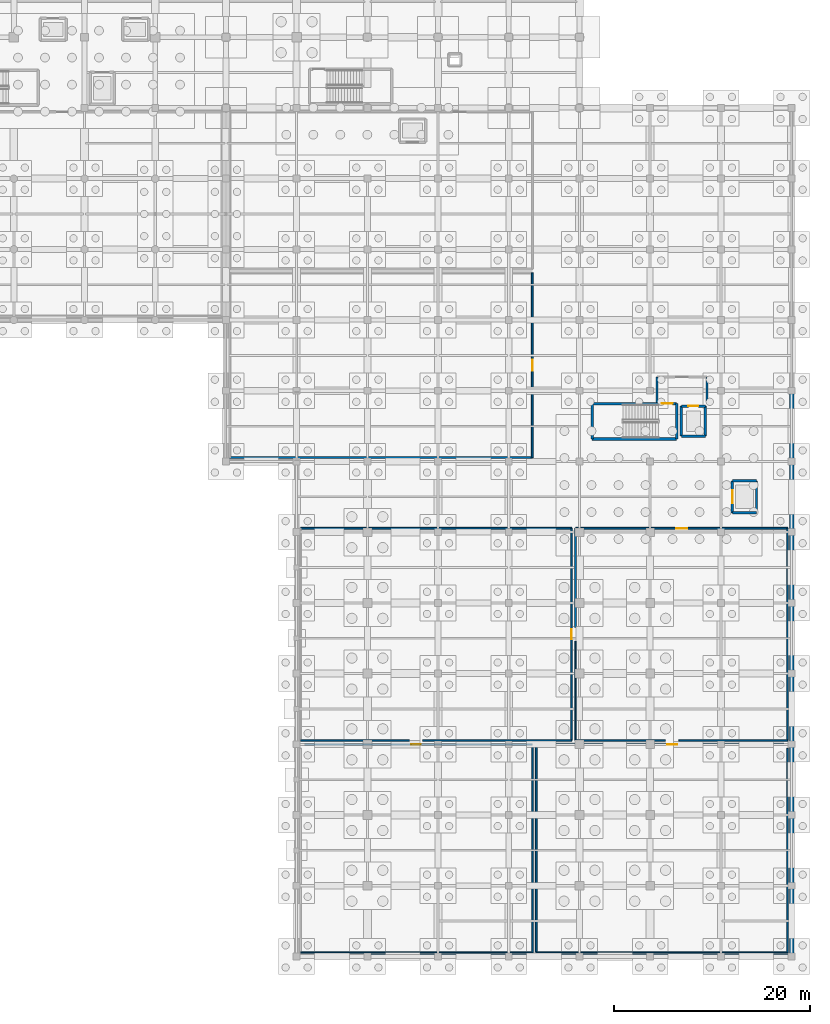
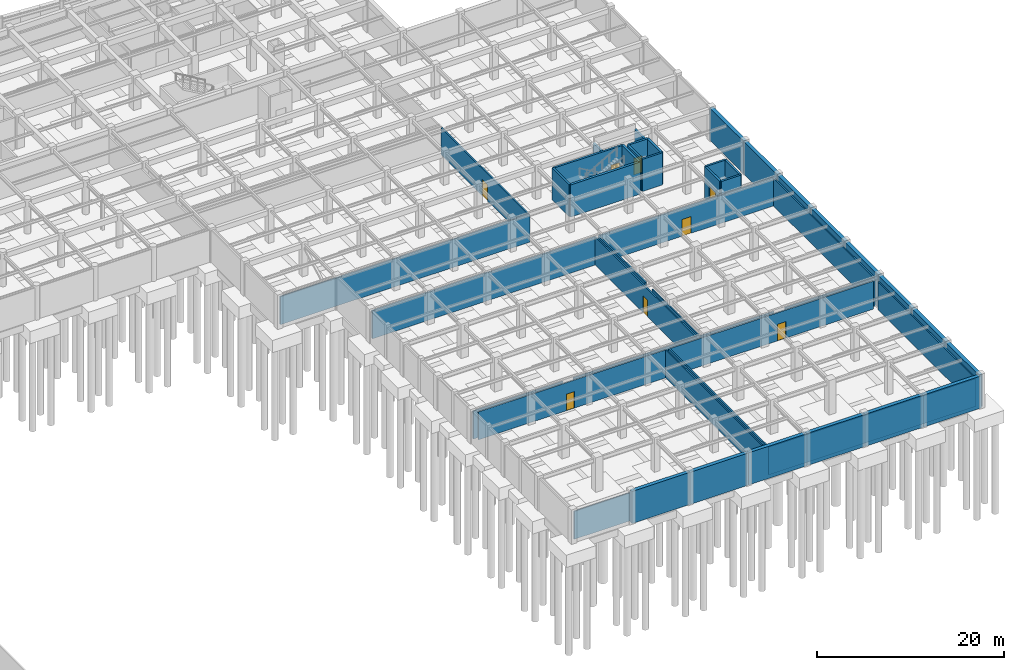
# One storey, part 39 of 48: 47 walls, 8 doors, 8 openings.
"""IFC4 building model written with IfcOpenShell, lengths in metres."""

from ifc_helpers import new_model, si_unit, direction, frame, frame_2d, origin, place, context, subcontext, project, spatial, rectangle, extrude, material, layer, layer_set, type_object, element, fill, save


model = new_model("IFC4")

# Units and contexts
model_context = context("Model", 3, precision=1e-05, world=origin(), true_north=direction((0.0, 1.0)))
body_context = subcontext(model_context, "Body", "Model", "MODEL_VIEW")
ifc_project = project(units=[si_unit("LENGTHUNIT", "METRE"), si_unit("AREAUNIT", "SQUARE_METRE"), si_unit("VOLUMEUNIT", "CUBIC_METRE"), si_unit("PLANEANGLEUNIT", "RADIAN"), si_unit("MASSUNIT", "GRAM", prefix="KILO")], contexts=[model_context])

# Site, building, storey
site_placement = place(None, origin())
site = spatial("IfcSite", under=ifc_project, at=site_placement, CompositionType="ELEMENT")
building_placement = place(site_placement, origin())
building = spatial("IfcBuilding", under=site, at=building_placement, Name="Carrowvane Square Congress Hotel", CompositionType="ELEMENT")
storey_placement = place(building_placement, frame((0.0, 0.0, -4.5)))
storey = spatial("IfcBuildingStorey", under=building, at=storey_placement, Name="B01", CompositionType="ELEMENT", Elevation=-4.5)

# Wall, opening, door
ifc_material_1 = material(Name="Acoustic gypsum board", Category="gypsum")
ifc_layer_1 = layer(ifc_material_1, 0.155029296875)
ifc_layer_set_1 = layer_set([ifc_layer_1], Name="Acoustic gypsum board")
wall_type_1 = type_object("IfcWallType", Name="WL-FIR-155", PredefinedType="PARTITIONING", material=ifc_layer_set_1)
wall_1_placement = place(storey_placement, frame((134.81005859375, 27.0, 0.0), z_axis=(0.0, 0.0, 1.0), x_axis=(1.0, 0.0, 0.0)))
wall_1 = element("IfcWall", 1, at=wall_1_placement, inside=storey, type_object=wall_type_1, Name="B01 ESB MV Substation and LV Switchroom partition", PredefinedType="PARTITIONING", context=body_context, shape_type="SweptSolid", body=[
    extrude(rectangle(XDim=23.18994140625, YDim=0.155029296875, at=frame_2d((11.594970703125, 0.0))), origin(), (0.0, 0.0, 1.0), 3.648193359375),
])
opening_1_placement = place(wall_1_placement, frame((10.860107421875, 0.0, 0.0)))
opening_1 = element("IfcOpeningElement", 2, at=opening_1_placement, cuts=wall_1, Name="Opening ID-19", PredefinedType="OPENING", context=body_context, shape_type="SweptSolid", body=[
    extrude(rectangle(XDim=0.969970703125, YDim=2.159912109375, at=frame_2d((0.48486328125, 1.080078125))), frame((0.0, 0.08740234375, 0.0), z_axis=(0.0, -1.0, 0.0), x_axis=(1.0, 0.0, 0.0)), (0.0, 0.0, 1.0), 0.175048828125),
])
ifc_material_2 = material(Name="European oak timber", Category="wood")
door_type_1 = type_object("IfcDoorType", Name="DR-INT-0970x2160", OperationType="NOTDEFINED", PredefinedType="DOOR", material=ifc_material_2)
door_1_placement = place(opening_1_placement, origin())
door_1 = element("IfcDoor", 3, at=door_1_placement, inside=storey, type_object=door_type_1, Name="B01 ESB MV Substation and LV Switchroom entrance door", OperationType="SINGLE_SWING_LEFT", OverallHeight=2.159912109375, OverallWidth=0.969970703125, PredefinedType="DOOR", context=body_context, shape_type="SweptSolid", body=[
    extrude(rectangle(XDim=0.969970703125, YDim=2.159912109375, at=frame_2d((0.48486328125, 1.080078125))), frame((0.0, 0.02490234375, 0.0), z_axis=(0.0, -1.0, 0.0), x_axis=(1.0, 0.0, 0.0)), (0.0, 0.0, 1.0), 0.050048828125),
])
fill(opening_1, door_1)

# Walls
wall_2_placement = place(storey_placement, frame((184.0, 26.590087890625, 0.0), z_axis=(0.0, 0.0, 1.0), x_axis=(0.0, -1.0, 0.0)))
element("IfcWall", 4, at=wall_2_placement, inside=storey, type_object=wall_type_1, Name="B01 Standby Emergency Generator Hall partition", PredefinedType="PARTITIONING", context=body_context, shape_type="SweptSolid", body=[
    extrude(rectangle(XDim=20.7900390625, YDim=0.155029296875, at=frame_2d((10.39501953125, 0.0))), origin(), (0.0, 0.0, 1.0), 3.648193359375),
])
wall_3_placement = place(storey_placement, frame((162.0, 27.39990234375, 0.0), z_axis=(0.0, 0.0, 1.0), x_axis=(-1.0, 0.0, 0.0)))
element("IfcWall", 5, at=wall_3_placement, inside=storey, type_object=wall_type_1, Name="B01 Sprinkler Tank and Fire Pump Room partition", PredefinedType="PARTITIONING", context=body_context, shape_type="SweptSolid", body=[
    extrude(rectangle(XDim=15.179931640625, YDim=0.155029296875, at=frame_2d((7.58984375, 0.0))), origin(), (0.0, 0.0, 1.0), 3.648193359375),
])
wall_4_placement = place(storey_placement, frame((184.0, 49.0, 0.0), z_axis=(0.0, 0.0, 1.0), x_axis=(0.0, -1.0, 0.0)))
element("IfcWall", 6, at=wall_4_placement, inside=storey, type_object=wall_type_1, Name="B01 Potable Water Storage and Booster Plant partition", PredefinedType="PARTITIONING", context=body_context, shape_type="SweptSolid", body=[
    extrude(rectangle(XDim=21.60009765625, YDim=0.155029296875, at=frame_2d((10.800048828125, 0.0))), origin(), (0.0, 0.0, 1.0), 3.648193359375),
])
ifc_material_3 = material(Name="Acoustic gypsum board", Category="gypsum")
ifc_layer_2 = layer(ifc_material_3, 0.169921875)
ifc_layer_set_2 = layer_set([ifc_layer_2], Name="Acoustic gypsum board")
wall_type_2 = type_object("IfcWallType", Name="WL-FIR-170", PredefinedType="PARTITIONING", material=ifc_layer_set_2)
wall_5_placement = place(storey_placement, frame((158.0, 56.199951171875, 0.0), z_axis=(0.0, 0.0, 1.0), x_axis=(-1.0, 0.0, 0.0)))
element("IfcWall", 7, at=wall_5_placement, inside=storey, type_object=wall_type_2, Name="B01 Central Chiller and Heat-Pump Plant Room partition", PredefinedType="PARTITIONING", context=body_context, shape_type="SweptSolid", body=[
    extrude(rectangle(XDim=30.800048828125, YDim=0.169921875, at=frame_2d((15.39990234375, 0.0))), origin(), (0.0, 0.0, 1.0), 3.648193359375),
])

# Wall, opening, door
wall_6_placement = place(storey_placement, frame((158.39990234375, 27.0, 0.0), z_axis=(0.0, 0.0, 1.0), x_axis=(1.0, 0.0, 0.0)))
wall_6 = element("IfcWall", 8, at=wall_6_placement, inside=storey, type_object=wall_type_2, Name="B01 Standby Emergency Generator Hall partition", PredefinedType="PARTITIONING", context=body_context, shape_type="SweptSolid", body=[
    extrude(rectangle(XDim=25.190185546875, YDim=0.169921875, at=frame_2d((12.59521484375, 0.0))), origin(), (0.0, 0.0, 1.0), 3.648193359375),
])
opening_2_placement = place(wall_6_placement, frame((13.340087890625, 0.0, 0.0)))
opening_2 = element("IfcOpeningElement", 9, at=opening_2_placement, cuts=wall_6, Name="Opening ID-20", PredefinedType="OPENING", context=body_context, shape_type="SweptSolid", body=[
    extrude(rectangle(XDim=1.010009765625, YDim=2.159912109375, at=frame_2d((0.5048828125, 1.080078125))), frame((0.0, 0.094970703125, 0.0), z_axis=(0.0, -1.0, 0.0), x_axis=(1.0, 0.0, 0.0)), (0.0, 0.0, 1.0), 0.18994140625),
])
ifc_material_4 = material(Name="European oak timber", Category="wood")
door_type_2 = type_object("IfcDoorType", Name="DR-INT-1010x2160", OperationType="NOTDEFINED", PredefinedType="DOOR", material=ifc_material_4)
door_2_placement = place(opening_2_placement, origin())
door_2 = element("IfcDoor", 10, at=door_2_placement, inside=storey, type_object=door_type_2, Name="B01 Standby Emergency Generator Hall entrance door", OperationType="SINGLE_SWING_RIGHT", OverallHeight=2.159912109375, OverallWidth=1.010009765625, PredefinedType="DOOR", context=body_context, shape_type="SweptSolid", body=[
    extrude(rectangle(XDim=1.010009765625, YDim=2.159912109375, at=frame_2d((0.5048828125, 1.080078125))), frame((0.0, 0.02490234375, 0.0), z_axis=(0.0, -1.0, 0.0), x_axis=(1.0, 0.0, 0.0)), (0.0, 0.0, 1.0), 0.050048828125),
])
fill(opening_2, door_2)

wall_7_placement = place(storey_placement, frame((162.0, 49.0, 0.0), z_axis=(0.0, 0.0, 1.0), x_axis=(0.0, -1.0, 0.0)))
wall_7 = element("IfcWall", 11, at=wall_7_placement, inside=storey, type_object=wall_type_2, Name="B01 Sprinkler Tank and Fire Pump Room partition", PredefinedType="PARTITIONING", context=body_context, shape_type="SweptSolid", body=[
    extrude(rectangle(XDim=21.60009765625, YDim=0.169921875, at=frame_2d((10.800048828125, 0.0))), origin(), (0.0, 0.0, 1.0), 3.648193359375),
])
opening_3_placement = place(wall_7_placement, frame((10.27490234375, 0.0, 0.0)))
opening_3 = element("IfcOpeningElement", 12, at=opening_3_placement, cuts=wall_7, Name="Opening ID-21", PredefinedType="OPENING", context=body_context, shape_type="SweptSolid", body=[
    extrude(rectangle(XDim=1.050048828125, YDim=2.179931640625, at=frame_2d((0.52490234375, 1.08984375))), frame((0.0, 0.094970703125, 0.0), z_axis=(0.0, -1.0, 0.0), x_axis=(1.0, 0.0, 0.0)), (0.0, 0.0, 1.0), 0.18994140625),
])
ifc_material_5 = material(Name="European oak timber", Category="wood")
door_type_3 = type_object("IfcDoorType", Name="DR-INT-1050x2180", OperationType="NOTDEFINED", PredefinedType="DOOR", material=ifc_material_5)
door_3_placement = place(opening_3_placement, origin())
door_3 = element("IfcDoor", 13, at=door_3_placement, inside=storey, type_object=door_type_3, Name="B01 Sprinkler Tank and Fire Pump Room entrance door", OperationType="SINGLE_SWING_LEFT", OverallHeight=2.179931640625, OverallWidth=1.050048828125, PredefinedType="DOOR", context=body_context, shape_type="SweptSolid", body=[
    extrude(rectangle(XDim=1.050048828125, YDim=2.179931640625, at=frame_2d((0.52490234375, 1.08984375))), frame((0.0, 0.02490234375, 0.0), z_axis=(0.0, -1.0, 0.0), x_axis=(1.0, 0.0, 0.0)), (0.0, 0.0, 1.0), 0.050048828125),
])
fill(opening_3, door_3)

wall_8_placement = place(storey_placement, frame((162.39990234375, 49.0, 0.0), z_axis=(0.0, 0.0, 1.0), x_axis=(1.0, 0.0, 0.0)))
wall_8 = element("IfcWall", 14, at=wall_8_placement, inside=storey, type_object=wall_type_2, Name="B01 Potable Water Storage and Booster Plant partition", PredefinedType="PARTITIONING", context=body_context, shape_type="SweptSolid", body=[
    extrude(rectangle(XDim=21.60009765625, YDim=0.169921875, at=frame_2d((10.800048828125, 0.0))), origin(), (0.0, 0.0, 1.0), 3.648193359375),
])
opening_4_placement = place(wall_8_placement, frame((10.25, 0.0, 0.0)))
opening_4 = element("IfcOpeningElement", 15, at=opening_4_placement, cuts=wall_8, Name="Opening ID-22", PredefinedType="OPENING", context=body_context, shape_type="SweptSolid", body=[
    extrude(rectangle(XDim=1.10009765625, YDim=2.179931640625, at=frame_2d((0.550048828125, 1.08984375))), frame((0.0, 0.094970703125, 0.0), z_axis=(0.0, -1.0, 0.0), x_axis=(1.0, 0.0, 0.0)), (0.0, 0.0, 1.0), 0.18994140625),
])
ifc_material_6 = material(Name="European oak timber", Category="wood")
door_type_4 = type_object("IfcDoorType", Name="DR-INT-1100x2180", OperationType="NOTDEFINED", PredefinedType="DOOR", material=ifc_material_6)
door_4_placement = place(opening_4_placement, origin())
door_4 = element("IfcDoor", 16, at=door_4_placement, inside=storey, type_object=door_type_4, Name="B01 Potable Water Storage and Booster Plant entrance door", OperationType="SINGLE_SWING_RIGHT", OverallHeight=2.179931640625, OverallWidth=1.10009765625, PredefinedType="DOOR", context=body_context, shape_type="SweptSolid", body=[
    extrude(rectangle(XDim=1.10009765625, YDim=2.179931640625, at=frame_2d((0.550048828125, 1.08984375))), frame((0.0, 0.02490234375, 0.0), z_axis=(0.0, -1.0, 0.0), x_axis=(1.0, 0.0, 0.0)), (0.0, 0.0, 1.0), 0.050048828125),
])
fill(opening_4, door_4)

ifc_material_7 = material(Name="Acoustic gypsum board", Category="gypsum")
ifc_layer_3 = layer(ifc_material_7, 0.18505859375)
ifc_layer_set_3 = layer_set([ifc_layer_3], Name="Acoustic gypsum board")
wall_type_3 = type_object("IfcWallType", Name="WL-FIR-185", PredefinedType="PARTITIONING", material=ifc_layer_set_3)
wall_9_placement = place(storey_placement, frame((158.0, 75.0, 0.0), z_axis=(0.0, 0.0, 1.0), x_axis=(0.0, -1.0, 0.0)))
wall_9 = element("IfcWall", 17, at=wall_9_placement, inside=storey, type_object=wall_type_3, Name="B01 Central Chiller and Heat-Pump Plant Room partition", PredefinedType="PARTITIONING", context=body_context, shape_type="SweptSolid", body=[
    extrude(rectangle(XDim=18.800048828125, YDim=0.18505859375, at=frame_2d((9.39990234375, 0.0))), origin(), (0.0, 0.0, 1.0), 3.534912109375),
])
opening_5_placement = place(wall_9_placement, frame((8.824951171875, 0.0, 0.0)))
opening_5 = element("IfcOpeningElement", 18, at=opening_5_placement, cuts=wall_9, Name="Opening ID-09", PredefinedType="OPENING", context=body_context, shape_type="SweptSolid", body=[
    extrude(rectangle(XDim=1.14990234375, YDim=2.14990234375, at=frame_2d((0.574951171875, 1.074951171875))), frame((0.0, 0.1025390625, 0.0), z_axis=(0.0, -1.0, 0.0), x_axis=(1.0, 0.0, 0.0)), (0.0, 0.0, 1.0), 0.205078125),
])
ifc_material_8 = material(Name="European oak timber", Category="wood")
door_type_5 = type_object("IfcDoorType", Name="DR-INT-1150x2150", OperationType="NOTDEFINED", PredefinedType="DOOR", material=ifc_material_8)
door_5_placement = place(opening_5_placement, origin())
door_5 = element("IfcDoor", 19, at=door_5_placement, inside=storey, type_object=door_type_5, Name="B01 Central Chiller and Heat-Pump Plant Room entrance door", OperationType="SINGLE_SWING_LEFT", OverallHeight=2.14990234375, OverallWidth=1.14990234375, PredefinedType="DOOR", context=body_context, shape_type="SweptSolid", body=[
    extrude(rectangle(XDim=1.14990234375, YDim=2.14990234375, at=frame_2d((0.574951171875, 1.074951171875))), frame((0.0, 0.02490234375, 0.0), z_axis=(0.0, -1.0, 0.0), x_axis=(1.0, 0.0, 0.0)), (0.0, 0.0, 1.0), 0.050048828125),
])
fill(opening_5, door_5)

# Walls
wall_10_placement = place(storey_placement, frame((158.39990234375, 5.800048828125, 0.0), z_axis=(0.0, 0.0, 1.0), x_axis=(0.0, 1.0, 0.0)))
element("IfcWall", 20, at=wall_10_placement, inside=storey, type_object=wall_type_3, Name="B01 Standby Emergency Generator Hall partition", PredefinedType="PARTITIONING", context=body_context, shape_type="SweptSolid", body=[
    extrude(rectangle(XDim=21.199951171875, YDim=0.18505859375, at=frame_2d((10.60009765625, 0.0))), origin(), (0.0, 0.0, 1.0), 3.648193359375),
])
wall_11_placement = place(storey_placement, frame((134.39990234375, 49.0, 0.0), z_axis=(0.0, 0.0, 1.0), x_axis=(1.0, 0.0, 0.0)))
element("IfcWall", 21, at=wall_11_placement, inside=storey, type_object=wall_type_3, Name="B01 Sprinkler Tank and Fire Pump Room partition", PredefinedType="PARTITIONING", context=body_context, shape_type="SweptSolid", body=[
    extrude(rectangle(XDim=27.60009765625, YDim=0.18505859375, at=frame_2d((13.800048828125, 0.0))), origin(), (0.0, 0.0, 1.0), 3.648193359375),
])
wall_12_placement = place(storey_placement, frame((162.39990234375, 38.905029296875, 0.0), z_axis=(0.0, 0.0, 1.0), x_axis=(0.0, 1.0, 0.0)))
element("IfcWall", 22, at=wall_12_placement, inside=storey, type_object=wall_type_3, Name="B01 Potable Water Storage and Booster Plant partition", PredefinedType="PARTITIONING", context=body_context, shape_type="SweptSolid", body=[
    extrude(rectangle(XDim=10.094970703125, YDim=0.18505859375, at=frame_2d((5.04736328125, 0.0))), origin(), (0.0, 0.0, 1.0), 3.648193359375),
])
ifc_material_9 = material(Name="Acoustic gypsum board", Category="gypsum")
ifc_layer_4 = layer(ifc_material_9, 0.205078125)
ifc_layer_set_4 = layer_set([ifc_layer_4], Name="Acoustic gypsum board")
wall_type_4 = type_object("IfcWallType", Name="WL-FIR-205", PredefinedType="PARTITIONING", material=ifc_layer_set_4)
for number, where, z_axis, x_axis, name in (
    (23, (175.800048828125, 61.800048828125, 0.0), (0.0, 0.0, 1.0), (0.0, 1.0, 0.0), "B01 Firefighting Lobby C4 wall east"),
    (24, (170.699951171875, 64.39990234375, 0.0), (0.0, 0.0, 1.0), (0.0, -1.0, 0.0), "B01 Firefighting Lobby C4 wall west"),
):
    element("IfcWall", number, at=place(storey_placement, frame(where, z_axis=z_axis, x_axis=x_axis)), inside=storey, type_object=wall_type_4, Name=name, PredefinedType="PARTITIONING", context=body_context, shape_type="SweptSolid", body=[
        extrude(rectangle(XDim=2.599853515625, YDim=0.205078125, at=frame_2d((1.2998046875, 0.0))), origin(), (0.0, 0.0, 1.0), 3.534912109375),
    ])
ifc_material_10 = material(Name="Acoustic gypsum board", Category="gypsum")
ifc_layer_5 = layer(ifc_material_10, 0.137939453125)
ifc_layer_set_5 = layer_set([ifc_layer_5], Name="Acoustic gypsum board")
wall_type_5 = type_object("IfcWallType", Name="WL-PRT-138", PredefinedType="PARTITIONING", material=ifc_layer_set_5)
wall_13_placement = place(storey_placement, frame((158.0, 5.800048828125, 0.0), z_axis=(0.0, 0.0, 1.0), x_axis=(-1.0, 0.0, 0.0)))
element("IfcWall", 25, at=wall_13_placement, inside=storey, type_object=wall_type_5, Name="B01 ESB MV Substation and LV Switchroom partition", PredefinedType="PARTITIONING", context=body_context, shape_type="SweptSolid", body=[
    extrude(rectangle(XDim=23.60009765625, YDim=0.137939453125, at=frame_2d((11.800048828125, 0.0))), origin(), (0.0, 0.0, 1.0), 3.648193359375),
])
wall_14_placement = place(storey_placement, frame((162.39990234375, 27.39990234375, 0.0), z_axis=(0.0, 0.0, 1.0), x_axis=(0.0, 1.0, 0.0)))
element("IfcWall", 26, at=wall_14_placement, inside=storey, type_object=wall_type_5, Name="B01 Potable Water Storage and Booster Plant partition", PredefinedType="PARTITIONING", context=body_context, shape_type="SweptSolid", body=[
    extrude(rectangle(XDim=10.09521484375, YDim=0.137939453125, at=frame_2d((5.047607421875, 0.0))), origin(), (0.0, 0.0, 1.0), 3.648193359375),
])
wall_15_placement = place(storey_placement, frame((171.56005859375, 27.39990234375, 0.0), z_axis=(0.0, 0.0, 1.0), x_axis=(-1.0, 0.0, 0.0)))
element("IfcWall", 27, at=wall_15_placement, inside=storey, type_object=wall_type_5, Name="B01 Potable Water Storage and Booster Plant partition", PredefinedType="PARTITIONING", context=body_context, shape_type="SweptSolid", body=[
    extrude(rectangle(XDim=9.16015625, YDim=0.137939453125, at=frame_2d((4.580078125, 0.0))), origin(), (0.0, 0.0, 1.0), 3.648193359375),
])
ifc_material_11 = material(Name="Acoustic gypsum board", Category="gypsum")
ifc_layer_6 = layer(ifc_material_11, 0.14794921875)
ifc_layer_set_6 = layer_set([ifc_layer_6], Name="Acoustic gypsum board")
wall_type_6 = type_object("IfcWallType", Name="WL-PRT-148", PredefinedType="PARTITIONING", material=ifc_layer_set_6)
wall_16_placement = place(storey_placement, frame((158.0, 27.0, 0.0), z_axis=(0.0, 0.0, 1.0), x_axis=(0.0, -1.0, 0.0)))
element("IfcWall", 28, at=wall_16_placement, inside=storey, type_object=wall_type_6, Name="B01 ESB MV Substation and LV Switchroom partition", PredefinedType="PARTITIONING", context=body_context, shape_type="SweptSolid", body=[
    extrude(rectangle(XDim=21.199951171875, YDim=0.14794921875, at=frame_2d((10.60009765625, 0.0))), origin(), (0.0, 0.0, 1.0), 3.648193359375),
])
wall_17_placement = place(storey_placement, frame((184.0, 5.800048828125, 0.0), z_axis=(0.0, 0.0, 1.0), x_axis=(-1.0, 0.0, 0.0)))
element("IfcWall", 29, at=wall_17_placement, inside=storey, type_object=wall_type_6, Name="B01 Standby Emergency Generator Hall partition", PredefinedType="PARTITIONING", context=body_context, shape_type="SweptSolid", body=[
    extrude(rectangle(XDim=25.60009765625, YDim=0.14794921875, at=frame_2d((12.800048828125, 0.0))), origin(), (0.0, 0.0, 1.0), 3.648193359375),
])
wall_18_placement = place(storey_placement, frame((145.489990234375, 27.39990234375, 0.0), z_axis=(0.0, 0.0, 1.0), x_axis=(-1.0, 0.0, 0.0)))
element("IfcWall", 30, at=wall_18_placement, inside=storey, type_object=wall_type_6, Name="B01 Sprinkler Tank and Fire Pump Room partition", PredefinedType="PARTITIONING", context=body_context, shape_type="SweptSolid", body=[
    extrude(rectangle(XDim=11.090087890625, YDim=0.14794921875, at=frame_2d((5.544921875, 0.0))), origin(), (0.0, 0.0, 1.0), 3.648193359375),
])
wall_19_placement = place(storey_placement, frame((184.0, 27.39990234375, 0.0), z_axis=(0.0, 0.0, 1.0), x_axis=(-1.0, 0.0, 0.0)))
element("IfcWall", 31, at=wall_19_placement, inside=storey, type_object=wall_type_6, Name="B01 Potable Water Storage and Booster Plant partition", PredefinedType="PARTITIONING", context=body_context, shape_type="SweptSolid", body=[
    extrude(rectangle(XDim=11.070068359375, YDim=0.14794921875, at=frame_2d((5.53515625, 0.0))), origin(), (0.0, 0.0, 1.0), 3.648193359375),
])
ifc_material_12 = material(Name="Concrete C35/45", Category="concrete")
ifc_layer_7 = layer(ifc_material_12, 0.449951171875)
ifc_layer_set_7 = layer_set([ifc_layer_7], Name="Concrete C35/45")
wall_type_7 = type_object("IfcWallType", Name="WL-RET-450", PredefinedType="SOLIDWALL", material=ifc_layer_set_7)
for number, where, z_axis, x_axis, name in (
    (32, (184.39990234375, 63.0, 0.0), (0.0, 0.0, 1.0), (0.0, -1.0, 0.0), "B01 perimeter retaining wall 83"),
    (33, (184.39990234375, 55.800048828125, 0.0), (0.0, 0.0, 1.0), (0.0, -1.0, 0.0), "B01 perimeter retaining wall 84"),
):
    element("IfcWall", number, at=place(storey_placement, frame(where, z_axis=z_axis, x_axis=x_axis)), inside=storey, type_object=wall_type_7, Name=name, PredefinedType="SOLIDWALL", context=body_context, shape_type="SweptSolid", body=[
        extrude(rectangle(XDim=7.199951171875, YDim=0.449951171875, at=frame_2d((3.60009765625, 0.0))), origin(), (0.0, 0.0, 1.0), 4.199951171875),
    ])
wall_20_placement = place(storey_placement, frame((184.39990234375, 48.60009765625, 0.0), z_axis=(0.0, 0.0, 1.0), x_axis=(0.0, -1.0, 0.0)))
element("IfcWall", 34, at=wall_20_placement, inside=storey, type_object=wall_type_7, Name="B01 perimeter retaining wall 85", PredefinedType="SOLIDWALL", context=body_context, shape_type="SweptSolid", body=[
    extrude(rectangle(XDim=7.2001953125, YDim=0.449951171875, at=frame_2d((3.60009765625, 0.0))), origin(), (0.0, 0.0, 1.0), 4.199951171875),
])
for number, where, z_axis, x_axis, name in (
    (35, (184.39990234375, 41.39990234375, 0.0), (0.0, 0.0, 1.0), (0.0, -1.0, 0.0), "B01 perimeter retaining wall 86"),
    (36, (184.39990234375, 34.199951171875, 0.0), (0.0, 0.0, 1.0), (0.0, -1.0, 0.0), "B01 perimeter retaining wall 87"),
    (37, (184.39990234375, 27.0, 0.0), (0.0, 0.0, 1.0), (0.0, -1.0, 0.0), "B01 perimeter retaining wall 88"),
    (38, (184.39990234375, 19.800048828125, 0.0), (0.0, 0.0, 1.0), (0.0, -1.0, 0.0), "B01 perimeter retaining wall 89"),
):
    element("IfcWall", number, at=place(storey_placement, frame(where, z_axis=z_axis, x_axis=x_axis)), inside=storey, type_object=wall_type_7, Name=name, PredefinedType="SOLIDWALL", context=body_context, shape_type="SweptSolid", body=[
        extrude(rectangle(XDim=7.199951171875, YDim=0.449951171875, at=frame_2d((3.60009765625, 0.0))), origin(), (0.0, 0.0, 1.0), 4.199951171875),
    ])
wall_21_placement = place(storey_placement, frame((184.39990234375, 12.60009765625, 0.0), z_axis=(0.0, 0.0, 1.0), x_axis=(0.0, -1.0, 0.0)))
element("IfcWall", 39, at=wall_21_placement, inside=storey, type_object=wall_type_7, Name="B01 perimeter retaining wall 90", PredefinedType="SOLIDWALL", context=body_context, shape_type="SweptSolid", body=[
    extrude(rectangle(XDim=7.2001953125, YDim=0.449951171875, at=frame_2d((3.60009765625, 0.0))), origin(), (0.0, 0.0, 1.0), 4.199951171875),
])
for number, where, z_axis, x_axis, name in (
    (40, (184.39990234375, 5.39990234375, 0.0), (0.0, 0.0, 1.0), (-1.0, 0.0, 0.0), "B01 perimeter retaining wall 91"),
    (41, (177.199951171875, 5.39990234375, 0.0), (0.0, 0.0, 1.0), (-1.0, 0.0, 0.0), "B01 perimeter retaining wall 92"),
    (42, (170.0, 5.39990234375, 0.0), (0.0, 0.0, 1.0), (-1.0, 0.0, 0.0), "B01 perimeter retaining wall 93"),
    (43, (162.800048828125, 5.39990234375, 0.0), (0.0, 0.0, 1.0), (-1.0, 0.0, 0.0), "B01 perimeter retaining wall 94"),
):
    element("IfcWall", number, at=place(storey_placement, frame(where, z_axis=z_axis, x_axis=x_axis)), inside=storey, type_object=wall_type_7, Name=name, PredefinedType="SOLIDWALL", context=body_context, shape_type="SweptSolid", body=[
        extrude(rectangle(XDim=7.199951171875, YDim=0.449951171875, at=frame_2d((3.60009765625, 0.0))), origin(), (0.0, 0.0, 1.0), 4.199951171875),
    ])
wall_22_placement = place(storey_placement, frame((155.60009765625, 5.39990234375, 0.0), z_axis=(0.0, 0.0, 1.0), x_axis=(-1.0, 0.0, 0.0)))
element("IfcWall", 44, at=wall_22_placement, inside=storey, type_object=wall_type_7, Name="B01 perimeter retaining wall 95", PredefinedType="SOLIDWALL", context=body_context, shape_type="SweptSolid", body=[
    extrude(rectangle(XDim=7.2001953125, YDim=0.449951171875, at=frame_2d((3.60009765625, 0.0))), origin(), (0.0, 0.0, 1.0), 4.199951171875),
])
wall_23_placement = place(storey_placement, frame((148.39990234375, 5.39990234375, 0.0), z_axis=(0.0, 0.0, 1.0), x_axis=(-1.0, 0.0, 0.0)))
element("IfcWall", 45, at=wall_23_placement, inside=storey, type_object=wall_type_7, Name="B01 perimeter retaining wall 96", PredefinedType="SOLIDWALL", context=body_context, shape_type="SweptSolid", body=[
    extrude(rectangle(XDim=7.199951171875, YDim=0.449951171875, at=frame_2d((3.60009765625, 0.0))), origin(), (0.0, 0.0, 1.0), 4.199951171875),
])
ifc_material_13 = material(Name="Concrete C40/50", Category="concrete")
ifc_layer_8 = layer(ifc_material_13, 0.22509765625)
ifc_layer_set_8 = layer_set([ifc_layer_8], Name="Concrete C40/50")
wall_type_8 = type_object("IfcWallType", Name="WL-SHR-225", PredefinedType="SHEAR", material=ifc_layer_set_8)
wall_24_placement = place(storey_placement, frame((164.10009765625, 61.699951171875, 0.0), z_axis=(0.0, 0.0, 1.0), x_axis=(0.0, -1.0, 0.0)))
element("IfcWall", 46, at=wall_24_placement, inside=storey, type_object=wall_type_8, Name="B01 ST4 core wall west", PredefinedType="SHEAR", context=body_context, shape_type="SweptSolid", body=[
    extrude(rectangle(XDim=3.599853515625, YDim=0.22509765625, at=frame_2d((1.7998046875, 0.0))), origin(), (0.0, 0.0, 1.0), 4.199951171875),
])

# Wall, opening, door
ifc_material_14 = material(Name="Concrete C40/50", Category="concrete")
ifc_layer_9 = layer(ifc_material_14, 0.25)
ifc_layer_set_9 = layer_set([ifc_layer_9], Name="Concrete C40/50")
wall_type_9 = type_object("IfcWallType", Name="WL-SHR-250", PredefinedType="SHEAR", material=ifc_layer_set_9)
wall_25_placement = place(storey_placement, frame((172.699951171875, 61.699951171875, 0.0), z_axis=(0.0, 0.0, 1.0), x_axis=(-1.0, 0.0, 0.0)))
wall_25 = element("IfcWall", 47, at=wall_25_placement, inside=storey, type_object=wall_type_9, Name="B01 ST4 core wall north", PredefinedType="SHEAR", context=body_context, shape_type="SweptSolid", body=[
    extrude(rectangle(XDim=8.599853515625, YDim=0.25, at=frame_2d((4.2998046875, 0.0))), origin(), (0.0, 0.0, 1.0), 4.199951171875),
])
opening_6_placement = place(wall_25_placement, frame((0.425048828125, 0.0, 0.0)))
opening_6 = element("IfcOpeningElement", 48, at=opening_6_placement, cuts=wall_25, Name="Opening FD-01", PredefinedType="OPENING", context=body_context, shape_type="SweptSolid", body=[
    extrude(rectangle(XDim=1.10009765625, YDim=2.10009765625, at=frame_2d((0.550048828125, 1.050048828125))), frame((0.0, 0.135009765625, 0.0), z_axis=(0.0, -1.0, 0.0), x_axis=(1.0, 0.0, 0.0)), (0.0, 0.0, 1.0), 0.27001953125),
])
ifc_material_15 = material(Name="European oak timber", Category="wood")
door_type_6 = type_object("IfcDoorType", Name="DR-FD60-1100x2100", OperationType="NOTDEFINED", PredefinedType="DOOR", material=ifc_material_15)
door_6_placement = place(opening_6_placement, origin())
door_6 = element("IfcDoor", 49, at=door_6_placement, inside=storey, type_object=door_type_6, Name="B01 ST4 fire door", OperationType="SINGLE_SWING_RIGHT", OverallHeight=2.10009765625, OverallWidth=1.10009765625, PredefinedType="DOOR", context=body_context, shape_type="SweptSolid", body=[
    extrude(rectangle(XDim=1.10009765625, YDim=2.10009765625, at=frame_2d((0.550048828125, 1.050048828125))), frame((0.0, 0.02490234375, 0.0), z_axis=(0.0, -1.0, 0.0), x_axis=(1.0, 0.0, 0.0)), (0.0, 0.0, 1.0), 0.050048828125),
])
fill(opening_6, door_6)

# Walls
wall_26_placement = place(storey_placement, frame((173.175048828125, 58.375, 0.0), z_axis=(0.0, 0.0, 1.0), x_axis=(1.0, 0.0, 0.0)))
element("IfcWall", 50, at=wall_26_placement, inside=storey, type_object=wall_type_9, Name="B01 FFL-3 shaft wall south", PredefinedType="SHEAR", context=body_context, shape_type="SweptSolid", body=[
    extrude(rectangle(XDim=2.449951171875, YDim=0.25, at=frame_2d((1.22509765625, 0.0))), origin(), (0.0, 0.0, 1.0), 4.199951171875),
])
wall_27_placement = place(storey_placement, frame((175.625, 58.375, 0.0), z_axis=(0.0, 0.0, 1.0), x_axis=(0.0, 1.0, 0.0)))
element("IfcWall", 51, at=wall_27_placement, inside=storey, type_object=wall_type_9, Name="B01 FFL-3 shaft wall east", PredefinedType="SHEAR", context=body_context, shape_type="SweptSolid", body=[
    extrude(rectangle(XDim=3.050048828125, YDim=0.25, at=frame_2d((1.52490234375, 0.0))), origin(), (0.0, 0.0, 1.0), 4.199951171875),
])

# Wall, opening, door
wall_28_placement = place(storey_placement, frame((175.625, 61.425048828125, 0.0), z_axis=(0.0, 0.0, 1.0), x_axis=(-1.0, 0.0, 0.0)))
wall_28 = element("IfcWall", 52, at=wall_28_placement, inside=storey, type_object=wall_type_9, Name="B01 FFL-3 shaft wall north", PredefinedType="SHEAR", context=body_context, shape_type="SweptSolid", body=[
    extrude(rectangle(XDim=2.449951171875, YDim=0.25, at=frame_2d((1.22509765625, 0.0))), origin(), (0.0, 0.0, 1.0), 4.199951171875),
])
opening_7_placement = place(wall_28_placement, frame((0.72509765625, 0.0, 0.0)))
opening_7 = element("IfcOpeningElement", 53, at=opening_7_placement, cuts=wall_28, Name="Opening LD-FFL-3", PredefinedType="OPENING", context=body_context, shape_type="SweptSolid", body=[
    extrude(rectangle(XDim=1.0, YDim=2.14990234375, at=frame_2d((0.5, 1.074951171875))), frame((0.0, 0.135009765625, 0.0), z_axis=(0.0, -1.0, 0.0), x_axis=(1.0, 0.0, 0.0)), (0.0, 0.0, 1.0), 0.27001953125),
])
ifc_material_16 = material(Name="Stainless steel 316", Category="steel")
door_type_7 = type_object("IfcDoorType", Name="DR-LD-1000x2150", OperationType="DOUBLE_DOOR_SLIDING", PredefinedType="DOOR", material=ifc_material_16)
door_7_placement = place(opening_7_placement, origin())
door_7 = element("IfcDoor", 54, at=door_7_placement, inside=storey, type_object=door_type_7, Name="B01 FFL-3 sliding lift landing door", OperationType="DOUBLE_DOOR_SLIDING", OverallHeight=2.14990234375, OverallWidth=1.0, PredefinedType="DOOR", context=body_context, shape_type="SweptSolid", body=[
    extrude(rectangle(XDim=1.0, YDim=2.14990234375, at=frame_2d((0.5, 1.074951171875))), frame((0.0, 0.02490234375, 0.0), z_axis=(0.0, -1.0, 0.0), x_axis=(1.0, 0.0, 0.0)), (0.0, 0.0, 1.0), 0.050048828125),
])
fill(opening_7, door_7)

# Walls
wall_29_placement = place(storey_placement, frame((173.175048828125, 61.425048828125, 0.0), z_axis=(0.0, 0.0, 1.0), x_axis=(0.0, -1.0, 0.0)))
element("IfcWall", 55, at=wall_29_placement, inside=storey, type_object=wall_type_9, Name="B01 FFL-3 shaft wall west", PredefinedType="SHEAR", context=body_context, shape_type="SweptSolid", body=[
    extrude(rectangle(XDim=3.050048828125, YDim=0.25, at=frame_2d((1.52490234375, 0.0))), origin(), (0.0, 0.0, 1.0), 4.199951171875),
])
wall_30_placement = place(storey_placement, frame((178.375, 50.574951171875, 0.0), z_axis=(0.0, 0.0, 1.0), x_axis=(1.0, 0.0, 0.0)))
element("IfcWall", 56, at=wall_30_placement, inside=storey, type_object=wall_type_9, Name="B01 GL-1 shaft wall south", PredefinedType="SHEAR", context=body_context, shape_type="SweptSolid", body=[
    extrude(rectangle(XDim=2.449951171875, YDim=0.25, at=frame_2d((1.22509765625, 0.0))), origin(), (0.0, 0.0, 1.0), 4.199951171875),
])
wall_31_placement = place(storey_placement, frame((180.824951171875, 50.574951171875, 0.0), z_axis=(0.0, 0.0, 1.0), x_axis=(0.0, 1.0, 0.0)))
element("IfcWall", 57, at=wall_31_placement, inside=storey, type_object=wall_type_9, Name="B01 GL-1 shaft wall east", PredefinedType="SHEAR", context=body_context, shape_type="SweptSolid", body=[
    extrude(rectangle(XDim=3.25, YDim=0.25, at=frame_2d((1.625, 0.0))), origin(), (0.0, 0.0, 1.0), 4.199951171875),
])
wall_32_placement = place(storey_placement, frame((180.824951171875, 53.824951171875, 0.0), z_axis=(0.0, 0.0, 1.0), x_axis=(-1.0, 0.0, 0.0)))
element("IfcWall", 58, at=wall_32_placement, inside=storey, type_object=wall_type_9, Name="B01 GL-1 shaft wall north", PredefinedType="SHEAR", context=body_context, shape_type="SweptSolid", body=[
    extrude(rectangle(XDim=2.449951171875, YDim=0.25, at=frame_2d((1.22509765625, 0.0))), origin(), (0.0, 0.0, 1.0), 4.199951171875),
])

# Wall, opening, door
wall_33_placement = place(storey_placement, frame((178.375, 53.824951171875, 0.0), z_axis=(0.0, 0.0, 1.0), x_axis=(0.0, -1.0, 0.0)))
wall_33 = element("IfcWall", 59, at=wall_33_placement, inside=storey, type_object=wall_type_9, Name="B01 GL-1 shaft wall west", PredefinedType="SHEAR", context=body_context, shape_type="SweptSolid", body=[
    extrude(rectangle(XDim=3.25, YDim=0.25, at=frame_2d((1.625, 0.0))), origin(), (0.0, 0.0, 1.0), 4.199951171875),
])
opening_8_placement = place(wall_33_placement, frame((0.949951171875, 0.0, 0.0)))
opening_8 = element("IfcOpeningElement", 60, at=opening_8_placement, cuts=wall_33, Name="Opening LD-GL-1", PredefinedType="OPENING", context=body_context, shape_type="SweptSolid", body=[
    extrude(rectangle(XDim=1.35009765625, YDim=2.199951171875, at=frame_2d((0.675048828125, 1.10009765625))), frame((0.0, 0.135009765625, 0.0), z_axis=(0.0, -1.0, 0.0), x_axis=(1.0, 0.0, 0.0)), (0.0, 0.0, 1.0), 0.27001953125),
])
ifc_material_17 = material(Name="Stainless steel 316", Category="steel")
door_type_8 = type_object("IfcDoorType", Name="DR-LD-1350x2200", OperationType="DOUBLE_DOOR_SLIDING", PredefinedType="DOOR", material=ifc_material_17)
door_8_placement = place(opening_8_placement, origin())
door_8 = element("IfcDoor", 61, at=door_8_placement, inside=storey, type_object=door_type_8, Name="B01 GL-1 sliding lift landing door", OperationType="DOUBLE_DOOR_SLIDING", OverallHeight=2.199951171875, OverallWidth=1.35009765625, PredefinedType="DOOR", context=body_context, shape_type="SweptSolid", body=[
    extrude(rectangle(XDim=1.35009765625, YDim=2.199951171875, at=frame_2d((0.675048828125, 1.10009765625))), frame((0.0, 0.02490234375, 0.0), z_axis=(0.0, -1.0, 0.0), x_axis=(1.0, 0.0, 0.0)), (0.0, 0.0, 1.0), 0.050048828125),
])
fill(opening_8, door_8)

# Walls
ifc_material_18 = material(Name="Concrete C40/50", Category="concrete")
ifc_layer_10 = layer(ifc_material_18, 0.27490234375)
ifc_layer_set_10 = layer_set([ifc_layer_10], Name="Concrete C40/50")
wall_type_10 = type_object("IfcWallType", Name="WL-SHR-275", PredefinedType="SHEAR", material=ifc_layer_set_10)
wall_34_placement = place(storey_placement, frame((172.699951171875, 58.10009765625, 0.0), z_axis=(0.0, 0.0, 1.0), x_axis=(0.0, 1.0, 0.0)))
element("IfcWall", 62, at=wall_34_placement, inside=storey, type_object=wall_type_10, Name="B01 ST4 core wall east", PredefinedType="SHEAR", context=body_context, shape_type="SweptSolid", body=[
    extrude(rectangle(XDim=3.599853515625, YDim=0.27490234375, at=frame_2d((1.7998046875, 0.0))), origin(), (0.0, 0.0, 1.0), 4.199951171875),
])
ifc_material_19 = material(Name="Concrete C40/50", Category="concrete")
ifc_layer_11 = layer(ifc_material_19, 0.300048828125)
ifc_layer_set_11 = layer_set([ifc_layer_11], Name="Concrete C40/50")
wall_type_11 = type_object("IfcWallType", Name="WL-SHR-300", PredefinedType="SHEAR", material=ifc_layer_set_11)
wall_35_placement = place(storey_placement, frame((164.10009765625, 58.10009765625, 0.0), z_axis=(0.0, 0.0, 1.0), x_axis=(1.0, 0.0, 0.0)))
element("IfcWall", 63, at=wall_35_placement, inside=storey, type_object=wall_type_11, Name="B01 ST4 core wall south", PredefinedType="SHEAR", context=body_context, shape_type="SweptSolid", body=[
    extrude(rectangle(XDim=8.599853515625, YDim=0.300048828125, at=frame_2d((4.2998046875, 0.0))), origin(), (0.0, 0.0, 1.0), 4.199951171875),
])

save(model, "model.ifc")
